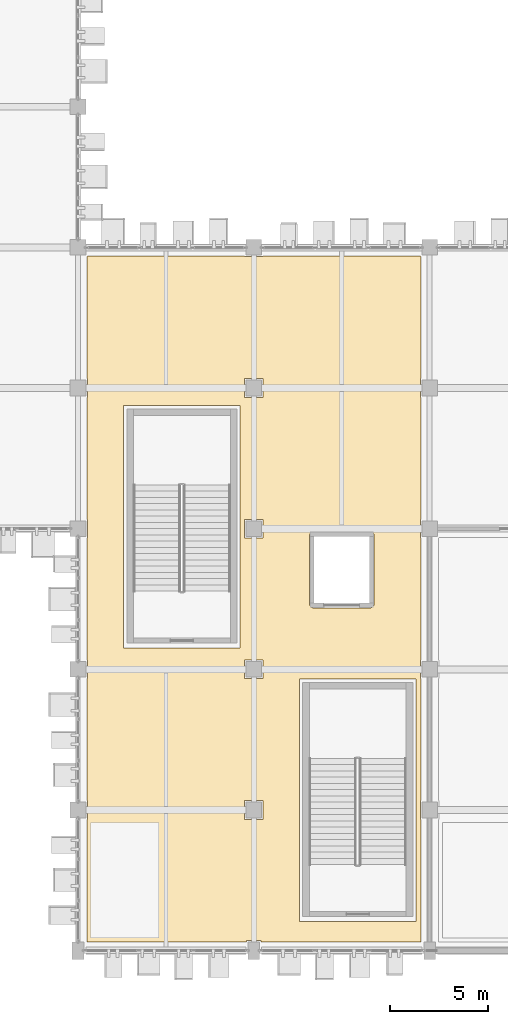
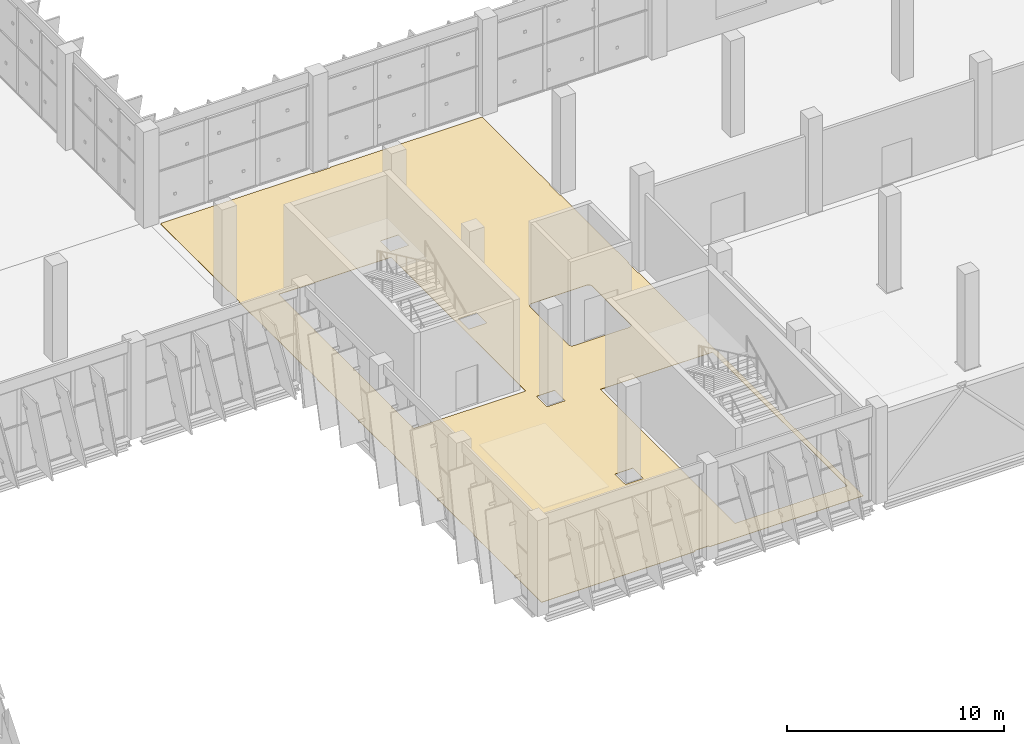
# One storey, part 116 of 137: 1 covering.
"""IFC4 building model written with IfcOpenShell, lengths in metres."""

import ifcopenshell
import ifcopenshell.guid

model = None  # the IFC model being written
_history = None  # IfcOwnerHistory: only IFC2X3 demands one
_inside = {}  # id of a spatial element -> (the spatial element, [elements in it])
_under = {}  # id of a project, library or spatial element -> (it, [spatial elements below it])
_declared = {}  # id of a project -> (the project, [libraries it declares])
_typed = {}  # id of a type object -> (the type object, [elements of that type])
_made_of = {}  # id of a material, layer set ... -> (it, [elements and type objects made of it])


def new_model(schema):
    """Start an empty IFC model of exactly this schema.

    Asked for "IFC4X3", IfcOpenShell would pick the latest addendum, in which some entities
    have other attributes; the version numbers below select the first issue.
    IFC2X3 requires an IfcOwnerHistory on every rooted entity: one is made here for all.
    """
    global model, _history
    if schema == "IFC4X3":
        model = ifcopenshell.file(schema_version=(4, 3, 0, 0))
    else:
        model = ifcopenshell.file(schema=schema)
    _inside.clear()
    _under.clear()
    _declared.clear()
    _typed.clear()
    _made_of.clear()
    _history = None
    if model.schema == "IFC2X3":
        org = make("IfcOrganization", Name="unknown")
        user = make(
            "IfcPersonAndOrganization",
            ThePerson=make("IfcPerson", FamilyName="unknown"),
            TheOrganization=org,
        )
        app = make(
            "IfcApplication",
            ApplicationDeveloper=org,
            Version="unknown",
            ApplicationFullName="unknown",
            ApplicationIdentifier="unknown",
        )
        _history = make(
            "IfcOwnerHistory",
            OwningUser=user,
            OwningApplication=app,
            ChangeAction="ADDED",
            CreationDate=0,
        )
    return model


def make(cls, **values):
    """One entity of the class cls with the attributes given. An attribute that is None is left unset."""
    return model.create_entity(
        cls, **{name: value for name, value in values.items() if value is not None}
    )


def rooted(cls, **values):
    """An entity with a GlobalId (a new one), such as an element, a storey or a relation."""
    return make(cls, GlobalId=ifcopenshell.guid.new(), OwnerHistory=_history, **values)


def si_unit(unit_type, name, prefix=None):
    """IfcSIUnit, for example si_unit("LENGTHUNIT", "METRE", prefix="MILLI")."""
    return make("IfcSIUnit", UnitType=unit_type, Prefix=prefix, Name=name)


def assignment(units):
    """IfcUnitAssignment: the units of a project."""
    return None if units is None else make("IfcUnitAssignment", Units=units)


def point(xyz):
    """IfcCartesianPoint."""
    return None if xyz is None else make("IfcCartesianPoint", Coordinates=xyz)


def direction(xyz):
    """IfcDirection."""
    return None if xyz is None else make("IfcDirection", DirectionRatios=xyz)


def frame(location, z_axis=None, x_axis=None):
    """IfcAxis2Placement3D, a coordinate frame: its origin and axes. An axis left out is left unset."""
    return make(
        "IfcAxis2Placement3D",
        Location=point(location),
        Axis=direction(z_axis),
        RefDirection=direction(x_axis),
    )


def origin():
    """The frame at (0, 0, 0) with its axes left unset."""
    return frame((0.0, 0.0, 0.0))


def place(relative_to, where):
    """IfcLocalPlacement: puts the frame where relative to a parent placement (None: the world)."""
    return make(
        "IfcLocalPlacement", PlacementRelTo=relative_to, RelativePlacement=where
    )


def context(
    kind, dimensions, precision=None, world=None, true_north=None, identifier=None
):
    """IfcGeometricRepresentationContext, for example the 3D "Model" context."""
    return make(
        "IfcGeometricRepresentationContext",
        ContextIdentifier=identifier,
        ContextType=kind,
        CoordinateSpaceDimension=dimensions,
        Precision=precision,
        WorldCoordinateSystem=world,
        TrueNorth=true_north,
    )


def subcontext(parent, identifier, kind, view, scale=None):
    """IfcGeometricRepresentationSubContext, for example "Body" below "Model"."""
    return make(
        "IfcGeometricRepresentationSubContext",
        ContextIdentifier=identifier,
        ContextType=kind,
        ParentContext=parent,
        TargetScale=scale,
        TargetView=view,
    )


def project(units=None, contexts=None):
    """IfcProject with its units and contexts."""
    return rooted(
        "IfcProject",
        Name="project",
        RepresentationContexts=contexts,
        UnitsInContext=assignment(units),
    )


def spatial(cls, under=None, at=None, **own):
    """A site, building, storey or space (cls), placed at a placement, below another one or the project."""
    s = rooted(cls, ObjectPlacement=at, **own)
    if under is not None:
        _under.setdefault(under.id(), (under, []))[1].append(s)
    return s


def polyline(points):
    """IfcPolyline through the points."""
    return make("IfcPolyline", Points=[point(p) for p in points])


def outline(outer, holes=None, kind="AREA"):
    """IfcArbitraryClosedProfileDef: a profile drawn as a closed curve; with holes, ...WithVoids."""
    if holes is None:
        return make("IfcArbitraryClosedProfileDef", ProfileType=kind, OuterCurve=outer)
    return make(
        "IfcArbitraryProfileDefWithVoids",
        ProfileType=kind,
        OuterCurve=outer,
        InnerCurves=holes,
    )


def extrude(swept, where, along, depth):
    """IfcExtrudedAreaSolid: the profile swept, set in the frame where, extruded along a direction by depth."""
    return make(
        "IfcExtrudedAreaSolid",
        SweptArea=swept,
        Position=where,
        ExtrudedDirection=direction(along),
        Depth=depth,
    )


def shape(context_of_items, identifier, shape_type, items):
    """IfcShapeRepresentation: the items that make up one representation, for example the "Body"."""
    return make(
        "IfcShapeRepresentation",
        ContextOfItems=context_of_items,
        RepresentationIdentifier=identifier,
        RepresentationType=shape_type,
        Items=items,
    )


def material(Name=None, Category=None):
    """IfcMaterial."""
    return make("IfcMaterial", Name=Name, Category=Category)


def layer(
    of_material, thickness, ventilated=None, Name=None, Category=None, Priority=None
):
    """IfcMaterialLayer: one layer of a wall or slab, of a material (None: an air gap)."""
    return make(
        "IfcMaterialLayer",
        Material=of_material,
        LayerThickness=thickness,
        IsVentilated=ventilated,
        Name=Name,
        Category=Category,
        Priority=Priority,
    )


def layer_set(layers, Name=None):
    """IfcMaterialLayerSet."""
    return make("IfcMaterialLayerSet", MaterialLayers=layers, LayerSetName=Name)


def made_of(thing, what):
    """Note that an element or type object is made of a material, layer set ...; save() writes the relation."""
    if what is not None:
        _made_of.setdefault(what.id(), (what, []))[1].append(thing)
    return thing


def type_object(cls, material=None, **own):
    """A type object (cls), such as IfcWallType, which elements share."""
    return made_of(rooted(cls, **own), material)


def element(
    cls,
    number,
    at=None,
    inside=None,
    cuts=None,
    type_object=None,
    material=None,
    context=None,
    identifier="Body",
    shape_type=None,
    held_by="IfcProductDefinitionShape",
    body=None,
    shapes=None,
    **own,
):
    """One element of the class cls, such as IfcWall. Its Tag is "e" and its number.

    at: its placement. inside: the storey or other place that contains it. cuts: it is an
    opening in that element (IfcRelVoidsElement). A single representation is given by context,
    identifier, shape_type and body (its items); several are given by shapes. held_by: the class
    of the entity that holds the representations. save() writes the other relations.
    """
    e = rooted(cls, Tag="e%d" % number, ObjectPlacement=at, **own)
    if body is not None:
        shapes = [shape(context, identifier, shape_type, body)]
    if shapes is not None:
        e.Representation = make(held_by, Representations=shapes)
    if inside is not None:
        _inside.setdefault(inside.id(), (inside, []))[1].append(e)
    if cuts is not None:
        rooted(
            "IfcRelVoidsElement", RelatingBuildingElement=cuts, RelatedOpeningElement=e
        )
    if type_object is not None:
        _typed.setdefault(type_object.id(), (type_object, []))[1].append(e)
    return made_of(e, material)


def aggregate(whole, parts):
    """IfcRelAggregates: a whole, such as a stair, and the parts it consists of."""
    return rooted("IfcRelAggregates", RelatingObject=whole, RelatedObjects=parts)


def save(model, path):
    """Write the relations noted so far, then the file.

    IfcRelAggregates (storeys below a building ...), IfcRelContainedInSpatialStructure (elements
    in a storey), IfcRelDefinesByType, IfcRelAssociatesMaterial and IfcRelDeclares: one each for
    every whole, place, type object, material and project.
    """
    for whole, parts in _under.values():
        aggregate(whole, parts)
    for where, things in _inside.values():
        rooted(
            "IfcRelContainedInSpatialStructure",
            RelatedElements=things,
            RelatingStructure=where,
        )
    for kind, things in _typed.values():
        rooted("IfcRelDefinesByType", RelatedObjects=things, RelatingType=kind)
    for what, things in _made_of.values():
        rooted("IfcRelAssociatesMaterial", RelatedObjects=things, RelatingMaterial=what)
    for by, libraries in _declared.values():
        rooted("IfcRelDeclares", RelatingContext=by, RelatedDefinitions=libraries)
    model.write(path)


model = new_model("IFC4")

# Units and contexts
model_context = context("Model", 3, precision=1e-05, world=origin(), true_north=direction((0.0, 1.0)))
body_context = subcontext(model_context, "Body", "Model", "MODEL_VIEW")
ifc_project = project(units=[si_unit("LENGTHUNIT", "METRE"), si_unit("AREAUNIT", "SQUARE_METRE"), si_unit("VOLUMEUNIT", "CUBIC_METRE"), si_unit("PLANEANGLEUNIT", "RADIAN"), si_unit("MASSUNIT", "GRAM", prefix="KILO")], contexts=[model_context])

# Site, building, storey
site_placement = place(None, origin())
site = spatial("IfcSite", under=ifc_project, at=site_placement, CompositionType="ELEMENT")
building_placement = place(site_placement, origin())
building = spatial("IfcBuilding", under=site, at=building_placement, Name="Celestram Park Convention Centre", CompositionType="ELEMENT")
storey_placement = place(building_placement, origin())
storey = spatial("IfcBuildingStorey", under=building, at=storey_placement, Name="L00", CompositionType="ELEMENT", Elevation=0.0)

# Covering
ifc_material = material(Name="Polished Lakefront Aggregate Terrazzo Flooring", Category="concrete")
ifc_layer = layer(ifc_material, 0.02001953125)
ifc_layer_set = layer_set([ifc_layer], Name="Polished Lakefront Aggregate Terrazzo Flooring")
covering_type = type_object("IfcCoveringType", Name="ARC-COV-FLR020", PredefinedType="FLOORING", material=ifc_layer_set)
covering_placement = place(storey_placement, origin())
element("IfcCovering", 1, at=covering_placement, inside=storey, type_object=covering_type, Name="South Registration Gallery terrazzo flooring", PredefinedType="FLOORING", context=body_context, shape_type="SweptSolid", body=[
    extrude(outline(polyline([(152.52197265625, 35.550048828125), (152.52197265625, 35.52197265625), (153.47802734375, 35.52197265625), (153.47802734375, 35.550048828125), (161.52197265625, 35.550048828125), (161.52197265625, 35.52197265625), (161.550048828125, 35.52197265625), (161.550048828125, 29.278076171875), (161.52197265625, 29.278076171875), (161.52197265625, 28.322021484375), (161.550048828125, 28.322021484375), (161.550048828125, 22.077880859375), (161.52197265625, 22.077880859375), (161.52197265625, 21.1220703125), (161.550048828125, 21.1220703125), (161.550048828125, 14.8779296875), (161.52197265625, 14.8779296875), (161.52197265625, 13.922119140625), (161.550048828125, 13.922119140625), (161.550048828125, 7.677978515625), (161.52197265625, 7.677978515625), (161.52197265625, 6.721923828125), (161.550048828125, 6.721923828125), (161.550048828125, 0.449951171875), (153.3779296875, 0.449951171875), (153.3779296875, 0.528076171875), (152.6220703125, 0.528076171875), (152.6220703125, 0.449951171875), (144.449951171875, 0.449951171875), (144.449951171875, 6.721923828125), (144.47802734375, 6.721923828125), (144.47802734375, 7.677978515625), (144.449951171875, 7.677978515625), (144.449951171875, 13.922119140625), (144.47802734375, 13.922119140625), (144.47802734375, 14.8779296875), (144.449951171875, 14.8779296875), (144.449951171875, 21.1220703125), (144.47802734375, 21.1220703125), (144.47802734375, 22.077880859375), (144.449951171875, 22.077880859375), (144.449951171875, 28.322021484375), (144.47802734375, 28.322021484375), (144.47802734375, 29.278076171875), (144.449951171875, 29.278076171875), (144.449951171875, 35.52197265625), (144.47802734375, 35.52197265625), (144.47802734375, 35.550048828125), (152.52197265625, 35.550048828125)]), holes=[polyline([(155.858642578125, 17.69189453125), (155.865234375, 17.673583984375), (155.87353515625, 17.65576171875), (155.8837890625, 17.638916015625), (155.8955078125, 17.623046875), (155.90869140625, 17.608642578125), (155.923095703125, 17.595458984375), (155.93896484375, 17.583740234375), (155.955810546875, 17.573486328125), (155.973388671875, 17.565185546875), (155.991943359375, 17.55859375), (156.010986328125, 17.5537109375), (156.030517578125, 17.551025390625), (156.050048828125, 17.550048828125), (158.949951171875, 17.550048828125), (158.969482421875, 17.551025390625), (158.989013671875, 17.5537109375), (159.008056640625, 17.55859375), (159.026611328125, 17.565185546875), (159.044189453125, 17.573486328125), (159.06103515625, 17.583740234375), (159.076904296875, 17.595458984375), (159.09130859375, 17.608642578125), (159.1044921875, 17.623046875), (159.1162109375, 17.638916015625), (159.12646484375, 17.65576171875), (159.134765625, 17.673583984375), (159.141357421875, 17.69189453125), (159.146240234375, 17.7109375), (159.14892578125, 17.73046875), (159.14990234375, 17.75), (159.14990234375, 17.75), (159.14990234375, 21.25), (159.14990234375, 21.25), (159.14892578125, 21.26953125), (159.146240234375, 21.2890625), (159.141357421875, 21.30810546875), (159.134765625, 21.326416015625), (159.12646484375, 21.34423828125), (159.1162109375, 21.361083984375), (159.1044921875, 21.376953125), (159.09130859375, 21.391357421875), (159.076904296875, 21.404541015625), (159.06103515625, 21.416259765625), (159.044189453125, 21.426513671875), (159.026611328125, 21.434814453125), (159.008056640625, 21.44140625), (158.989013671875, 21.4462890625), (158.969482421875, 21.448974609375), (158.949951171875, 21.449951171875), (156.050048828125, 21.449951171875), (156.030517578125, 21.448974609375), (156.010986328125, 21.4462890625), (155.991943359375, 21.44140625), (155.973388671875, 21.434814453125), (155.955810546875, 21.426513671875), (155.93896484375, 21.416259765625), (155.923095703125, 21.404541015625), (155.90869140625, 21.391357421875), (155.8955078125, 21.376953125), (155.8837890625, 21.361083984375), (155.87353515625, 21.34423828125), (155.865234375, 21.326416015625), (155.858642578125, 21.30810546875), (155.853759765625, 21.2890625), (155.85107421875, 21.26953125), (155.85009765625, 21.25), (155.85009765625, 21.25), (155.85009765625, 17.75), (155.85009765625, 17.75), (155.85107421875, 17.73046875), (155.853759765625, 17.7109375), (155.858642578125, 17.69189453125)]), polyline([(161.300048828125, 13.89990234375), (155.340087890625, 13.89990234375), (155.340087890625, 1.5), (161.300048828125, 1.5), (161.300048828125, 13.89990234375)]), polyline([(152.300048828125, 27.89990234375), (146.340087890625, 27.89990234375), (146.340087890625, 15.5), (152.300048828125, 15.5), (152.300048828125, 27.89990234375)]), polyline([(153.47802734375, 7.677978515625), (152.52197265625, 7.677978515625), (152.52197265625, 6.721923828125), (153.47802734375, 6.721923828125), (153.47802734375, 7.677978515625)]), polyline([(153.47802734375, 14.8779296875), (152.52197265625, 14.8779296875), (152.52197265625, 13.922119140625), (153.47802734375, 13.922119140625), (153.47802734375, 14.8779296875)]), polyline([(153.47802734375, 22.077880859375), (152.52197265625, 22.077880859375), (152.52197265625, 21.1220703125), (153.47802734375, 21.1220703125), (153.47802734375, 22.077880859375)]), polyline([(153.47802734375, 29.278076171875), (152.52197265625, 29.278076171875), (152.52197265625, 28.322021484375), (153.47802734375, 28.322021484375), (153.47802734375, 29.278076171875)])]), origin(), (0.0, 0.0, 1.0), 0.02001953125),
])

save(model, "model.ifc")
